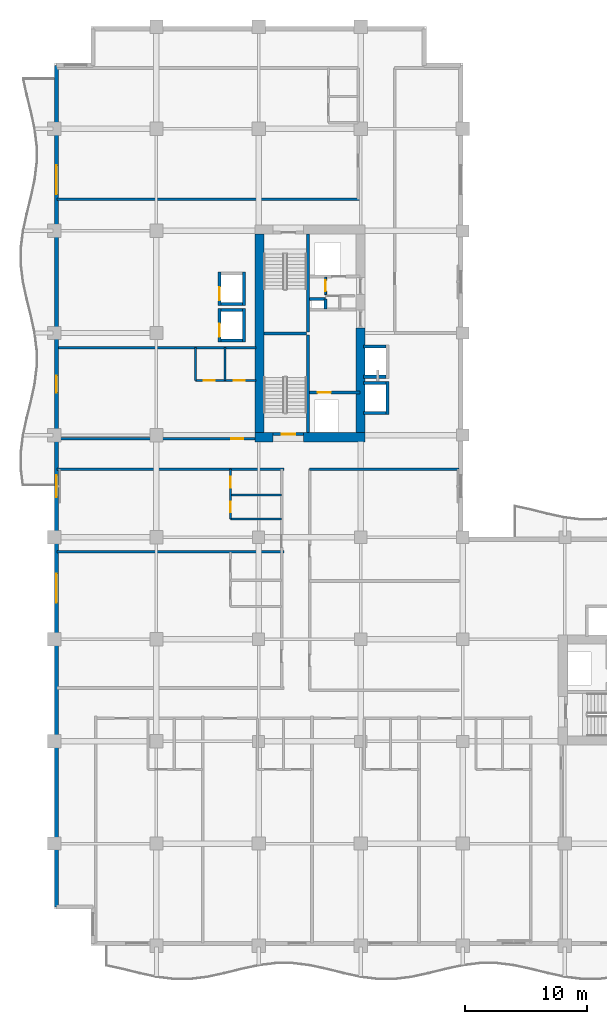
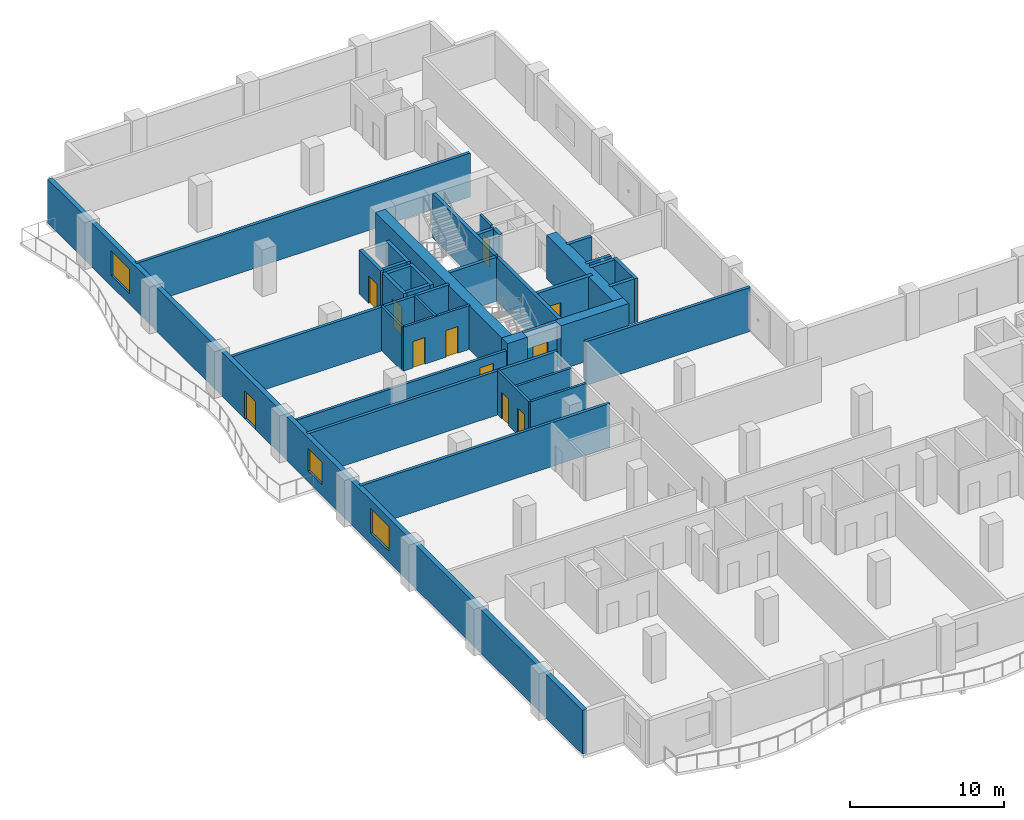
# One storey, part 7 of 16: 37 walls, 11 doors, 3 windows, 14 openings.
"""IFC4 building model written with IfcOpenShell, lengths in metres."""

from ifc_helpers import new_model, si_unit, direction, frame, frame_2d, origin, place, context, subcontext, project, spatial, rectangle, extrude, material, layer, layer_set, type_object, element, fill, save


model = new_model("IFC4")

# Units and contexts
model_context = context("Model", 3, precision=1e-05, world=origin(), true_north=direction((0.0, 1.0)))
body_context = subcontext(model_context, "Body", "Model", "MODEL_VIEW")
ifc_project = project(units=[si_unit("LENGTHUNIT", "METRE"), si_unit("AREAUNIT", "SQUARE_METRE"), si_unit("VOLUMEUNIT", "CUBIC_METRE"), si_unit("PLANEANGLEUNIT", "RADIAN"), si_unit("MASSUNIT", "GRAM", prefix="KILO")], contexts=[model_context])

# Site, building, storey
site_placement = place(None, origin())
site = spatial("IfcSite", under=ifc_project, at=site_placement, CompositionType="ELEMENT")
building_placement = place(site_placement, origin())
building = spatial("IfcBuilding", under=site, at=building_placement, Name="Koriwani Terraces Tower", CompositionType="ELEMENT")
storey_placement = place(building_placement, frame((0.0, 0.0, 171.699951171875)))
storey = spatial("IfcBuildingStorey", under=building, at=storey_placement, Name="L41", CompositionType="ELEMENT", Elevation=171.699951171875)

# Walls
ifc_material_1 = material(Name="Concrete C60/75", Category="concrete")
ifc_layer_1 = layer(ifc_material_1, 0.75, Name="Concrete C60/75")
ifc_layer_set_1 = layer_set([ifc_layer_1], Name="Concrete C60/75")
wall_type_1 = type_object("IfcWallType", Name="WALL_CORE_RC_750", PredefinedType="SHEAR", material=ifc_layer_set_1)
wall_1_placement = place(storey_placement, frame((16.5, 41.824951171875, 0.0), z_axis=(0.0, 0.0, 1.0), x_axis=(1.0, 0.0, 0.0)))
element("IfcWall", 1, at=wall_1_placement, inside=storey, type_object=wall_type_1, Name="L41 West Split Core Shear Wall S1", PredefinedType="SHEAR", context=body_context, shape_type="SweptSolid", body=[
    extrude(rectangle(XDim=1.5, YDim=0.75, at=frame_2d((0.75, 0.0))), origin(), (0.0, 0.0, 1.0), 3.469970703125),
])
wall_2_placement = place(storey_placement, frame((20.5, 41.824951171875, 0.0), z_axis=(0.0, 0.0, 1.0), x_axis=(1.0, 0.0, 0.0)))
element("IfcWall", 2, at=wall_2_placement, inside=storey, type_object=wall_type_1, Name="L41 West Split Core Shear Wall S2", PredefinedType="SHEAR", context=body_context, shape_type="SweptSolid", body=[
    extrude(rectangle(XDim=5.074951171875, YDim=0.75, at=frame_2d((2.53759765625, 0.0))), origin(), (0.0, 0.0, 1.0), 3.469970703125),
])
wall_3_placement = place(storey_placement, frame((16.875, 42.199951171875, 0.0), z_axis=(0.0, 0.0, 1.0), x_axis=(0.0, 1.0, 0.0)))
element("IfcWall", 3, at=wall_3_placement, inside=storey, type_object=wall_type_1, Name="L41 West Split Core Shear Wall W1", PredefinedType="SHEAR", context=body_context, shape_type="SweptSolid", body=[
    extrude(rectangle(XDim=16.35009765625, YDim=0.75, at=frame_2d((8.175048828125, 0.0))), origin(), (0.0, 0.0, 1.0), 3.469970703125),
])
wall_4_placement = place(storey_placement, frame((25.199951171875, 42.199951171875, 0.0), z_axis=(0.0, 0.0, 1.0), x_axis=(0.0, 1.0, 0.0)))
element("IfcWall", 4, at=wall_4_placement, inside=storey, type_object=wall_type_1, Name="L41 West Split Core Shear Wall E1", PredefinedType="SHEAR", context=body_context, shape_type="SweptSolid", body=[
    extrude(rectangle(XDim=8.60009765625, YDim=0.75, at=frame_2d((4.300048828125, 0.0))), origin(), (0.0, 0.0, 1.0), 3.469970703125),
])

# Wall, opening, door
ifc_material_2 = material(Name="Autoclaved Cellular Concrete Blockwork", Category="masonry")
ifc_layer_2 = layer(ifc_material_2, 0.199951171875, Name="Autoclaved Cellular Concrete Blockwork")
ifc_layer_set_2 = layer_set([ifc_layer_2], Name="Autoclaved Cellular Concrete Blockwork")
wall_type_2 = type_object("IfcWallType", Name="WALL_CORRIDOR_200", PredefinedType="PARTITIONING", material=ifc_layer_set_2)
wall_5_placement = place(storey_placement, frame((0.35009765625, 41.699951171875, 0.0), z_axis=(0.0, 0.0, 1.0), x_axis=(1.0, 0.0, 0.0)))
wall_5 = element("IfcWall", 5, at=wall_5_placement, inside=storey, type_object=wall_type_2, Name="L41 Interior Wall WREC-WS-L41", PredefinedType="PARTITIONING", context=body_context, shape_type="SweptSolid", body=[
    extrude(rectangle(XDim=16.25, YDim=0.199951171875, at=frame_2d((8.125, 0.0))), origin(), (0.0, 0.0, 1.0), 2.820068359375),
])
opening_1_placement = place(wall_5_placement, frame((14.199951171875, 0.0, 0.0)))
opening_1 = element("IfcOpeningElement", 6, at=opening_1_placement, cuts=wall_5, Name="Opening D-05", PredefinedType="OPENING", context=body_context, shape_type="SweptSolid", body=[
    extrude(rectangle(XDim=1.0, YDim=2.14990234375, at=frame_2d((0.5, 1.074951171875))), frame((0.0, 0.10986328125, 0.0), z_axis=(0.0, -1.0, 0.0), x_axis=(1.0, 0.0, 0.0)), (0.0, 0.0, 1.0), 0.219970703125),
])
ifc_material_3 = material(Name="Architectural Oak Fire Door", Category="wood")
door_type_1 = type_object("IfcDoorType", Name="DOOR_SUITE_ENTRY_1000X2150", OperationType="NOTDEFINED", PredefinedType="DOOR", material=ifc_material_3)
door_1_placement = place(opening_1_placement, origin())
door_1 = element("IfcDoor", 7, at=door_1_placement, inside=storey, type_object=door_type_1, Name="L41 Reclaimed West Suite Door", OperationType="SINGLE_SWING_LEFT", OverallHeight=2.14990234375, OverallWidth=1.0, PredefinedType="DOOR", context=body_context, shape_type="SweptSolid", body=[
    extrude(rectangle(XDim=1.0, YDim=2.14990234375, at=frame_2d((0.5, 1.074951171875))), frame((0.0, 0.02490234375, 0.0), z_axis=(0.0, -1.0, 0.0), x_axis=(1.0, 0.0, 0.0)), (0.0, 0.0, 1.0), 0.050048828125),
])
fill(opening_1, door_1)

# Walls
ifc_layer_3 = layer(ifc_material_2, 0.219970703125, Name="Autoclaved Cellular Concrete Blockwork")
ifc_layer_set_3 = layer_set([ifc_layer_3], Name="Autoclaved Cellular Concrete Blockwork")
wall_type_3 = type_object("IfcWallType", Name="WALL_DEMISING_220", PredefinedType="PARTITIONING", material=ifc_layer_set_3)
wall_6_placement = place(storey_placement, frame((0.35009765625, 49.199951171875, 0.0), z_axis=(0.0, 0.0, 1.0), x_axis=(1.0, 0.0, 0.0)))
element("IfcWall", 8, at=wall_6_placement, inside=storey, type_object=wall_type_3, Name="L41 Interior Wall WREC-WN-L41", PredefinedType="PARTITIONING", context=body_context, shape_type="SweptSolid", body=[
    extrude(rectangle(XDim=16.25, YDim=0.219970703125, at=frame_2d((8.125, 0.0))), origin(), (0.0, 0.0, 1.0), 3.469970703125),
])
wall_7_placement = place(storey_placement, frame((21.0, 39.199951171875, 0.0), z_axis=(0.0, 0.0, 1.0), x_axis=(1.0, 0.0, 0.0)))
element("IfcWall", 9, at=wall_7_placement, inside=storey, type_object=wall_type_3, Name="L41 Interior Wall WIC2-N-L41", PredefinedType="PARTITIONING", context=body_context, shape_type="SweptSolid", body=[
    extrude(rectangle(XDim=12.300048828125, YDim=0.219970703125, at=frame_2d((6.14990234375, 0.0))), origin(), (0.0, 0.0, 1.0), 3.469970703125),
])
for number, where, z_axis, x_axis, name in (
    (10, (0.199951171875, 32.39990234375, 0.0), (0.0, 0.0, 1.0), (1.0, 0.0, 0.0), "L41 Interior Wall WRDEM-L41-NW-1"),
    (11, (0.199951171875, 39.199951171875, 0.0), (0.0, 0.0, 1.0), (1.0, 0.0, 0.0), "L41 Interior Wall WRDEME-L41-NW"),
):
    element("IfcWall", number, at=place(storey_placement, frame(where, z_axis=z_axis, x_axis=x_axis)), inside=storey, type_object=wall_type_3, Name=name, PredefinedType="PARTITIONING", context=body_context, shape_type="SweptSolid", body=[
        extrude(rectangle(XDim=18.679931640625, YDim=0.219970703125, at=frame_2d((9.33984375, 0.0))), origin(), (0.0, 0.0, 1.0), 3.469970703125),
    ])
wall_8_placement = place(storey_placement, frame((0.199951171875, 61.39990234375, 0.0), z_axis=(0.0, 0.0, 1.0), x_axis=(1.0, 0.0, 0.0)))
element("IfcWall", 12, at=wall_8_placement, inside=storey, type_object=wall_type_3, Name="L41 Interior Wall WRDEM-L41-NE-0", PredefinedType="PARTITIONING", context=body_context, shape_type="SweptSolid", body=[
    extrude(rectangle(XDim=24.97998046875, YDim=0.219970703125, at=frame_2d((12.489990234375, 0.0))), origin(), (0.0, 0.0, 1.0), 3.469970703125),
])

# Wall, openings, door, windows
ifc_material_4 = material(Name="Concrete C50/60", Category="concrete")
ifc_layer_4 = layer(ifc_material_4, 0.35009765625, Name="Concrete C50/60")
ifc_layer_set_4 = layer_set([ifc_layer_4], Name="Concrete C50/60")
wall_type_4 = type_object("IfcWallType", Name="WALL_EXT_BRUTALIST_350", PredefinedType="STANDARD", material=ifc_layer_set_4)
wall_9_placement = place(storey_placement, frame((0.175048828125, 3.175048828125, 0.0), z_axis=(0.0, 0.0, 1.0), x_axis=(0.0, 1.0, 0.0)))
wall_9 = element("IfcWall", 13, at=wall_9_placement, inside=storey, type_object=wall_type_4, Name="L41 Fair-Faced Brutalist Exterior Wall (W)", PredefinedType="STANDARD", context=body_context, shape_type="SweptSolid", body=[
    extrude(rectangle(XDim=69.25, YDim=0.35009765625, at=frame_2d((34.625, 0.0))), origin(), (0.0, 0.0, 1.0), 3.469970703125),
])
opening_2_placement = place(wall_9_placement, frame((42.324951171875, 0.0, 0.0)))
opening_2 = element("IfcOpeningElement", 14, at=opening_2_placement, cuts=wall_9, Name="Opening D-09", PredefinedType="OPENING", context=body_context, shape_type="SweptSolid", body=[
    extrude(rectangle(XDim=1.39990234375, YDim=2.199951171875, at=frame_2d((0.699951171875, 1.10009765625))), frame((0.0, 0.18505859375, 0.0), z_axis=(0.0, -1.0, 0.0), x_axis=(1.0, 0.0, 0.0)), (0.0, 0.0, 1.0), 0.3701171875),
])
opening_3_placement = place(wall_9_placement, frame((25.02490234375, 0.0, 0.85009765625)))
opening_3 = element("IfcOpeningElement", 15, at=opening_3_placement, cuts=wall_9, Name="Opening W-03", PredefinedType="OPENING", context=body_context, shape_type="SweptSolid", body=[
    extrude(rectangle(XDim=2.39990234375, YDim=1.949951171875, at=frame_2d((1.199951171875, 0.97509765625))), frame((0.0, 0.18505859375, 0.0), z_axis=(0.0, -1.0, 0.0), x_axis=(1.0, 0.0, 0.0)), (0.0, 0.0, 1.0), 0.3701171875),
])
opening_4_placement = place(wall_9_placement, frame((33.72509765625, 0.0, 0.85009765625)))
opening_4 = element("IfcOpeningElement", 16, at=opening_4_placement, cuts=wall_9, Name="Opening W-04", PredefinedType="OPENING", context=body_context, shape_type="SweptSolid", body=[
    extrude(rectangle(XDim=1.800048828125, YDim=1.800048828125, at=frame_2d((0.89990234375, 0.89990234375))), frame((0.0, 0.18505859375, 0.0), z_axis=(0.0, -1.0, 0.0), x_axis=(1.0, 0.0, 0.0)), (0.0, 0.0, 1.0), 0.3701171875),
])
opening_5_placement = place(wall_9_placement, frame((58.625, 0.0, 0.85009765625)))
opening_5 = element("IfcOpeningElement", 17, at=opening_5_placement, cuts=wall_9, Name="Opening W-03", PredefinedType="OPENING", context=body_context, shape_type="SweptSolid", body=[
    extrude(rectangle(XDim=2.39990234375, YDim=1.949951171875, at=frame_2d((1.199951171875, 0.97509765625))), frame((0.0, 0.18505859375, 0.0), z_axis=(0.0, -1.0, 0.0), x_axis=(1.0, 0.0, 0.0)), (0.0, 0.0, 1.0), 0.3701171875),
])
ifc_material_5 = material(Name="Anodised Bronze Aluminium", Category="aluminium")
door_type_2 = type_object("IfcDoorType", Name="DOOR_BALCONY_GLAZED_1400X2200", OperationType="NOTDEFINED", PredefinedType="DOOR", material=ifc_material_5)
door_2_placement = place(opening_2_placement, origin())
door_2 = element("IfcDoor", 18, at=door_2_placement, inside=storey, type_object=door_type_2, Name="L41 West Balcony Glazed Door", OperationType="SINGLE_SWING_LEFT", OverallHeight=2.199951171875, OverallWidth=1.39990234375, PredefinedType="DOOR", context=body_context, shape_type="SweptSolid", body=[
    extrude(rectangle(XDim=1.39990234375, YDim=2.199951171875, at=frame_2d((0.699951171875, 1.10009765625))), frame((0.0, 0.02490234375, 0.0), z_axis=(0.0, -1.0, 0.0), x_axis=(1.0, 0.0, 0.0)), (0.0, 0.0, 1.0), 0.050048828125),
])
fill(opening_2, door_2)
ifc_material_6 = material(Name="Tempered Laminated Low-E Glass", Category="glass")
window_type_1 = type_object("IfcWindowType", Name="WIN_RES_BED_1800X1800", PartitioningType="DOUBLE_PANEL_VERTICAL", PredefinedType="WINDOW", material=ifc_material_6)
window_1_placement = place(opening_4_placement, origin())
window_1 = element("IfcWindow", 19, at=window_1_placement, inside=storey, type_object=window_type_1, Name="L41 Exterior Window (W-12)", OverallHeight=1.800048828125, OverallWidth=1.800048828125, PartitioningType="SINGLE_PANEL", PredefinedType="WINDOW", context=body_context, shape_type="SweptSolid", body=[
    extrude(rectangle(XDim=1.800048828125, YDim=1.800048828125, at=frame_2d((0.89990234375, 0.89990234375))), frame((0.0, 0.030029296875, 0.0), z_axis=(0.0, -1.0, 0.0), x_axis=(1.0, 0.0, 0.0)), (0.0, 0.0, 1.0), 0.06005859375),
])
fill(opening_4, window_1)
window_type_2 = type_object("IfcWindowType", Name="WIN_RES_LIVING_2400X1950", PartitioningType="DOUBLE_PANEL_VERTICAL", PredefinedType="WINDOW", material=ifc_material_6)
window_2_placement = place(opening_3_placement, origin())
window_2 = element("IfcWindow", 20, at=window_2_placement, inside=storey, type_object=window_type_2, Name="L41 Exterior Window (W-9)", OverallHeight=1.949951171875, OverallWidth=2.39990234375, PartitioningType="SINGLE_PANEL", PredefinedType="WINDOW", context=body_context, shape_type="SweptSolid", body=[
    extrude(rectangle(XDim=2.39990234375, YDim=1.949951171875, at=frame_2d((1.199951171875, 0.97509765625))), frame((0.0, 0.030029296875, 0.0), z_axis=(0.0, -1.0, 0.0), x_axis=(1.0, 0.0, 0.0)), (0.0, 0.0, 1.0), 0.06005859375),
])
fill(opening_3, window_2)
window_3_placement = place(opening_5_placement, origin())
window_3 = element("IfcWindow", 21, at=window_3_placement, inside=storey, type_object=window_type_2, Name="L41 Exterior Window (W-21)", OverallHeight=1.949951171875, OverallWidth=2.39990234375, PartitioningType="SINGLE_PANEL", PredefinedType="WINDOW", context=body_context, shape_type="SweptSolid", body=[
    extrude(rectangle(XDim=2.39990234375, YDim=1.949951171875, at=frame_2d((1.199951171875, 0.97509765625))), frame((0.0, 0.030029296875, 0.0), z_axis=(0.0, -1.0, 0.0), x_axis=(1.0, 0.0, 0.0)), (0.0, 0.0, 1.0), 0.06005859375),
])
fill(opening_5, window_3)

# Wall, openings, doors
ifc_material_7 = material(Name="Fire-Rated Acoustic Gypsum Partition", Category="masonry")
ifc_layer_5 = layer(ifc_material_7, 0.179931640625, Name="Fire-Rated Acoustic Gypsum Partition")
ifc_layer_set_5 = layer_set([ifc_layer_5], Name="Fire-Rated Acoustic Gypsum Partition")
wall_type_5 = type_object("IfcWallType", Name="WALL_PLUMBING_180", PredefinedType="PLUMBINGWALL", material=ifc_layer_set_5)
wall_10_placement = place(storey_placement, frame((11.60009765625, 46.5, 0.0), z_axis=(0.0, 0.0, 1.0), x_axis=(1.0, 0.0, 0.0)))
wall_10 = element("IfcWall", 22, at=wall_10_placement, inside=storey, type_object=wall_type_5, Name="L41 Interior Wall WREC-WBB-L41", PredefinedType="PLUMBINGWALL", context=body_context, shape_type="SweptSolid", body=[
    extrude(rectangle(XDim=5.0, YDim=0.179931640625, at=frame_2d((2.5, 0.0))), origin(), (0.0, 0.0, 1.0), 3.469970703125),
])
opening_6_placement = place(wall_10_placement, frame((0.699951171875, 0.0, 0.0)))
opening_6 = element("IfcOpeningElement", 23, at=opening_6_placement, cuts=wall_10, Name="Opening D-07", PredefinedType="OPENING", context=body_context, shape_type="SweptSolid", body=[
    extrude(rectangle(XDim=0.89990234375, YDim=2.10009765625, at=frame_2d((0.449951171875, 1.050048828125))), frame((0.0, 0.10009765625, 0.0), z_axis=(0.0, -1.0, 0.0), x_axis=(1.0, 0.0, 0.0)), (0.0, 0.0, 1.0), 0.199951171875),
])
opening_7_placement = place(wall_10_placement, frame((3.14990234375, 0.0, 0.0)))
opening_7 = element("IfcOpeningElement", 24, at=opening_7_placement, cuts=wall_10, Name="Opening D-06", PredefinedType="OPENING", context=body_context, shape_type="SweptSolid", body=[
    extrude(rectangle(XDim=0.919921875, YDim=2.10009765625, at=frame_2d((0.4599609375, 1.050048828125))), frame((0.0, 0.10009765625, 0.0), z_axis=(0.0, -1.0, 0.0), x_axis=(1.0, 0.0, 0.0)), (0.0, 0.0, 1.0), 0.199951171875),
])
door_type_3 = type_object("IfcDoorType", Name="DOOR_BATH_INT_900X2100", OperationType="NOTDEFINED", PredefinedType="DOOR", material=ifc_material_3)
door_3_placement = place(opening_6_placement, origin())
door_3 = element("IfcDoor", 25, at=door_3_placement, inside=storey, type_object=door_type_3, Name="Apartment 41RW Bathroom Door", OperationType="SINGLE_SWING_RIGHT", OverallHeight=2.10009765625, OverallWidth=0.89990234375, PredefinedType="DOOR", context=body_context, shape_type="SweptSolid", body=[
    extrude(rectangle(XDim=0.89990234375, YDim=2.10009765625, at=frame_2d((0.449951171875, 1.050048828125))), frame((0.0, 0.02490234375, 0.0), z_axis=(0.0, -1.0, 0.0), x_axis=(1.0, 0.0, 0.0)), (0.0, 0.0, 1.0), 0.050048828125),
])
fill(opening_6, door_3)
door_type_4 = type_object("IfcDoorType", Name="DOOR_ROOM_INT_920X2100", OperationType="NOTDEFINED", PredefinedType="DOOR", material=ifc_material_3)
door_4_placement = place(opening_7_placement, origin())
door_4 = element("IfcDoor", 26, at=door_4_placement, inside=storey, type_object=door_type_4, Name="Apartment 41RW Kitchen Door", OperationType="SINGLE_SWING_LEFT", OverallHeight=2.10009765625, OverallWidth=0.919921875, PredefinedType="DOOR", context=body_context, shape_type="SweptSolid", body=[
    extrude(rectangle(XDim=0.919921875, YDim=2.10009765625, at=frame_2d((0.4599609375, 1.050048828125))), frame((0.0, 0.02490234375, 0.0), z_axis=(0.0, -1.0, 0.0), x_axis=(1.0, 0.0, 0.0)), (0.0, 0.0, 1.0), 0.050048828125),
])
fill(opening_7, door_4)

# Walls
for number, where, z_axis, x_axis, name in (
    (27, (11.60009765625, 46.5, 0.0), (0.0, 0.0, 1.0), (0.0, 1.0, 0.0), "L41 Interior Wall WREC-WB2-L41"),
    (28, (14.050048828125, 46.5, 0.0), (0.0, 0.0, 1.0), (0.0, 1.0, 0.0), "L41 Interior Wall WREC-WB3-L41"),
):
    element("IfcWall", number, at=place(storey_placement, frame(where, z_axis=z_axis, x_axis=x_axis)), inside=storey, type_object=wall_type_5, Name=name, PredefinedType="PLUMBINGWALL", context=body_context, shape_type="SweptSolid", body=[
        extrude(rectangle(XDim=2.699951171875, YDim=0.179931640625, at=frame_2d((1.35009765625, 0.0))), origin(), (0.0, 0.0, 1.0), 3.469970703125),
    ])

# Wall, openings, doors
wall_11_placement = place(storey_placement, frame((14.5, 35.10009765625, 0.0), z_axis=(0.0, 0.0, 1.0), x_axis=(0.0, 1.0, 0.0)))
wall_11 = element("IfcWall", 29, at=wall_11_placement, inside=storey, type_object=wall_type_5, Name="L41 Interior Wall WRSVC-L41-NW-1", PredefinedType="PLUMBINGWALL", context=body_context, shape_type="SweptSolid", body=[
    extrude(rectangle(XDim=4.099853515625, YDim=0.179931640625, at=frame_2d((2.0498046875, 0.0))), origin(), (0.0, 0.0, 1.0), 3.469970703125),
])
opening_8_placement = place(wall_11_placement, frame((0.533935546875, 0.0, 0.0)))
opening_8 = element("IfcOpeningElement", 30, at=opening_8_placement, cuts=wall_11, Name="Opening D-07", PredefinedType="OPENING", context=body_context, shape_type="SweptSolid", body=[
    extrude(rectangle(XDim=0.89990234375, YDim=2.10009765625, at=frame_2d((0.449951171875, 1.050048828125))), frame((0.0, 0.10009765625, 0.0), z_axis=(0.0, -1.0, 0.0), x_axis=(1.0, 0.0, 0.0)), (0.0, 0.0, 1.0), 0.199951171875),
])
opening_9_placement = place(wall_11_placement, frame((2.573974609375, 0.0, 0.0)))
opening_9 = element("IfcOpeningElement", 31, at=opening_9_placement, cuts=wall_11, Name="Opening D-06", PredefinedType="OPENING", context=body_context, shape_type="SweptSolid", body=[
    extrude(rectangle(XDim=0.919921875, YDim=2.10009765625, at=frame_2d((0.4599609375, 1.050048828125))), frame((0.0, 0.10009765625, 0.0), z_axis=(0.0, -1.0, 0.0), x_axis=(1.0, 0.0, 0.0)), (0.0, 0.0, 1.0), 0.199951171875),
])
door_5_placement = place(opening_8_placement, origin())
door_5 = element("IfcDoor", 32, at=door_5_placement, inside=storey, type_object=door_type_3, Name="Apartment 41NW2 Bathroom Door", OperationType="SINGLE_SWING_LEFT", OverallHeight=2.10009765625, OverallWidth=0.89990234375, PredefinedType="DOOR", context=body_context, shape_type="SweptSolid", body=[
    extrude(rectangle(XDim=0.89990234375, YDim=2.10009765625, at=frame_2d((0.449951171875, 1.050048828125))), frame((0.0, 0.02490234375, 0.0), z_axis=(0.0, -1.0, 0.0), x_axis=(1.0, 0.0, 0.0)), (0.0, 0.0, 1.0), 0.050048828125),
])
fill(opening_8, door_5)
door_6_placement = place(opening_9_placement, origin())
door_6 = element("IfcDoor", 33, at=door_6_placement, inside=storey, type_object=door_type_4, Name="Apartment 41NW2 Kitchen Door", OperationType="SINGLE_SWING_RIGHT", OverallHeight=2.10009765625, OverallWidth=0.919921875, PredefinedType="DOOR", context=body_context, shape_type="SweptSolid", body=[
    extrude(rectangle(XDim=0.919921875, YDim=2.10009765625, at=frame_2d((0.4599609375, 1.050048828125))), frame((0.0, 0.02490234375, 0.0), z_axis=(0.0, -1.0, 0.0), x_axis=(1.0, 0.0, 0.0)), (0.0, 0.0, 1.0), 0.050048828125),
])
fill(opening_9, door_6)

# Walls
for number, where, z_axis, x_axis, name in (
    (34, (14.5, 35.10009765625, 0.0), (0.0, 0.0, 1.0), (1.0, 0.0, 0.0), "L41 Interior Wall WRSVCS-L41-NW-1"),
    (35, (14.5, 37.068115234375, 0.0), (0.0, 0.0, 1.0), (1.0, 0.0, 0.0), "L41 Interior Wall WRSVCM-L41-NW-1"),
):
    element("IfcWall", number, at=place(storey_placement, frame(where, z_axis=z_axis, x_axis=x_axis)), inside=storey, type_object=wall_type_5, Name=name, PredefinedType="PLUMBINGWALL", context=body_context, shape_type="SweptSolid", body=[
        extrude(rectangle(XDim=4.199951171875, YDim=0.179931640625, at=frame_2d((2.10009765625, 0.0))), origin(), (0.0, 0.0, 1.0), 3.469970703125),
    ])
ifc_material_8 = material(Name="Concrete C40/50", Category="concrete")
ifc_layer_6 = layer(ifc_material_8, 0.25, Name="Concrete C40/50")
ifc_layer_set_6 = layer_set([ifc_layer_6], Name="Concrete C40/50")
wall_type_6 = type_object("IfcWallType", Name="WALL_SHAFT_RATED_250", PredefinedType="SOLIDWALL", material=ifc_layer_set_6)
for number, where, z_axis, x_axis, name in (
    (36, (20.875, 42.199951171875, 0.0), (0.0, 0.0, 1.0), (0.0, 1.0, 0.0), "L41 West Split Core Web Wall MID1"),
    (37, (20.875, 50.5, 0.0), (0.0, 0.0, 1.0), (0.0, 1.0, 0.0), "L41 West Split Core Web Wall MID2"),
):
    element("IfcWall", number, at=place(storey_placement, frame(where, z_axis=z_axis, x_axis=x_axis)), inside=storey, type_object=wall_type_6, Name=name, PredefinedType="SOLIDWALL", context=body_context, shape_type="SweptSolid", body=[
        extrude(rectangle(XDim=8.050048828125, YDim=0.25, at=frame_2d((4.02490234375, 0.0))), origin(), (0.0, 0.0, 1.0), 3.469970703125),
    ])
wall_12_placement = place(storey_placement, frame((17.25, 50.375, 0.0), z_axis=(0.0, 0.0, 1.0), x_axis=(1.0, 0.0, 0.0)))
element("IfcWall", 38, at=wall_12_placement, inside=storey, type_object=wall_type_6, Name="L41 West Split Core Stair Dividing Wall", PredefinedType="SOLIDWALL", context=body_context, shape_type="SweptSolid", body=[
    extrude(rectangle(XDim=3.5, YDim=0.25, at=frame_2d((1.75, 0.0))), origin(), (0.0, 0.0, 1.0), 3.469970703125),
])

# Wall, opening, door
wall_13_placement = place(storey_placement, frame((18.0, 42.074951171875, 0.0), z_axis=(0.0, 0.0, 1.0), x_axis=(1.0, 0.0, 0.0)))
wall_13 = element("IfcWall", 39, at=wall_13_placement, inside=storey, type_object=wall_type_6, Name="L41 Interior Wall WIN-CW-L41-STS", PredefinedType="SOLIDWALL", context=body_context, shape_type="SweptSolid", body=[
    extrude(rectangle(XDim=2.5, YDim=0.25, at=frame_2d((1.25, 0.0))), origin(), (0.0, 0.0, 1.0), 3.469970703125),
])
opening_10_placement = place(wall_13_placement, frame((0.699951171875, 0.0, 0.0)))
opening_10 = element("IfcOpeningElement", 40, at=opening_10_placement, cuts=wall_13, Name="Opening D-03", PredefinedType="OPENING", context=body_context, shape_type="SweptSolid", body=[
    extrude(rectangle(XDim=1.10009765625, YDim=2.14990234375, at=frame_2d((0.550048828125, 1.074951171875))), frame((0.0, 0.135009765625, 0.0), z_axis=(0.0, -1.0, 0.0), x_axis=(1.0, 0.0, 0.0)), (0.0, 0.0, 1.0), 0.27001953125),
])
ifc_material_9 = material(Name="Steel ASTM A572 Grade 50", Category="steel")
door_type_5 = type_object("IfcDoorType", Name="DOOR_STAIR_FIRE_1100X2150", OperationType="NOTDEFINED", PredefinedType="DOOR", material=ifc_material_9)
door_7_placement = place(opening_10_placement, origin())
door_7 = element("IfcDoor", 41, at=door_7_placement, inside=storey, type_object=door_type_5, Name="L41 Exit Stair ST-W1 Door", OperationType="SINGLE_SWING_LEFT", OverallHeight=2.14990234375, OverallWidth=1.10009765625, PredefinedType="DOOR", context=body_context, shape_type="SweptSolid", body=[
    extrude(rectangle(XDim=1.10009765625, YDim=2.14990234375, at=frame_2d((0.550048828125, 1.074951171875))), frame((0.0, 0.02490234375, 0.0), z_axis=(0.0, -1.0, 0.0), x_axis=(1.0, 0.0, 0.0)), (0.0, 0.0, 1.0), 0.050048828125),
])
fill(opening_10, door_7)

wall_14_placement = place(storey_placement, frame((21.0, 45.5, 0.0), z_axis=(0.0, 0.0, 1.0), x_axis=(1.0, 0.0, 0.0)))
wall_14 = element("IfcWall", 42, at=wall_14_placement, inside=storey, type_object=wall_type_6, Name="L41 Interior Wall WIN-CW-L41-FE", PredefinedType="SOLIDWALL", context=body_context, shape_type="SweptSolid", body=[
    extrude(rectangle(XDim=4.14990234375, YDim=0.25, at=frame_2d((2.074951171875, 0.0))), origin(), (0.0, 0.0, 1.0), 3.469970703125),
])
opening_11_placement = place(wall_14_placement, frame((0.64990234375, 0.0, 0.0)))
opening_11 = element("IfcOpeningElement", 43, at=opening_11_placement, cuts=wall_14, Name="Opening LD-01", PredefinedType="OPENING", context=body_context, shape_type="SweptSolid", body=[
    extrude(rectangle(XDim=1.10009765625, YDim=2.14990234375, at=frame_2d((0.550048828125, 1.074951171875))), frame((0.0, 0.135009765625, 0.0), z_axis=(0.0, -1.0, 0.0), x_axis=(1.0, 0.0, 0.0)), (0.0, 0.0, 1.0), 0.27001953125),
])
door_type_6 = type_object("IfcDoorType", Name="DOOR_LIFT_LANDING_1100X2200", OperationType="NOTDEFINED", PredefinedType="DOOR", material=ifc_material_9)
door_8_placement = place(opening_11_placement, origin())
door_8 = element("IfcDoor", 44, at=door_8_placement, inside=storey, type_object=door_type_6, Name="L41 Firefighting Lift FE-01 Landing Door", OperationType="SLIDING_TO_LEFT", OverallHeight=2.14990234375, OverallWidth=1.10009765625, PredefinedType="DOOR", context=body_context, shape_type="SweptSolid", body=[
    extrude(rectangle(XDim=1.10009765625, YDim=2.14990234375, at=frame_2d((0.550048828125, 1.074951171875))), frame((0.0, 0.02490234375, 0.0), z_axis=(0.0, -1.0, 0.0), x_axis=(1.0, 0.0, 0.0)), (0.0, 0.0, 1.0), 0.050048828125),
])
fill(opening_11, door_8)

# Walls
wall_15_placement = place(storey_placement, frame((21.0, 53.199951171875, 0.0), z_axis=(0.0, 0.0, 1.0), x_axis=(1.0, 0.0, 0.0)))
element("IfcWall", 45, at=wall_15_placement, inside=storey, type_object=wall_type_6, Name="L41 Interior Wall WIN-CW-L41-RS1", PredefinedType="SOLIDWALL", context=body_context, shape_type="SweptSolid", body=[
    extrude(rectangle(XDim=1.300048828125, YDim=0.25, at=frame_2d((0.64990234375, 0.0))), origin(), (0.0, 0.0, 1.0), 3.469970703125),
])
wall_16_placement = place(storey_placement, frame((22.300048828125, 52.360107421875, 0.0), z_axis=(0.0, 0.0, 1.0), x_axis=(0.0, 1.0, 0.0)))
element("IfcWall", 46, at=wall_16_placement, inside=storey, type_object=wall_type_6, Name="L41 Interior Wall WIN-CW-L41-RS2", PredefinedType="SOLIDWALL", context=body_context, shape_type="SweptSolid", body=[
    extrude(rectangle(XDim=0.83984375, YDim=0.25, at=frame_2d((0.419921875, 0.0))), origin(), (0.0, 0.0, 1.0), 3.469970703125),
])

# Wall, opening, door
wall_17_placement = place(storey_placement, frame((13.60009765625, 49.675048828125, 0.0), z_axis=(0.0, 0.0, 1.0), x_axis=(0.0, 1.0, 0.0)))
wall_17 = element("IfcWall", 47, at=wall_17_placement, inside=storey, type_object=wall_type_6, Name="L41 Interior Wall WIN-LF-PE-M1-L41-F", PredefinedType="SOLIDWALL", context=body_context, shape_type="SweptSolid", body=[
    extrude(rectangle(XDim=2.75, YDim=0.25, at=frame_2d((1.375, 0.0))), origin(), (0.0, 0.0, 1.0), 3.469970703125),
])
opening_12_placement = place(wall_17_placement, frame((0.39990234375, 0.0, 0.0)))
opening_12 = element("IfcOpeningElement", 48, at=opening_12_placement, cuts=wall_17, Name="Opening LD-01", PredefinedType="OPENING", context=body_context, shape_type="SweptSolid", body=[
    extrude(rectangle(XDim=1.10009765625, YDim=2.14990234375, at=frame_2d((0.550048828125, 1.074951171875))), frame((0.0, 0.135009765625, 0.0), z_axis=(0.0, -1.0, 0.0), x_axis=(1.0, 0.0, 0.0)), (0.0, 0.0, 1.0), 0.27001953125),
])
door_9_placement = place(opening_12_placement, origin())
door_9 = element("IfcDoor", 49, at=door_9_placement, inside=storey, type_object=door_type_6, Name="L41 Passenger Lift PE-M1 Landing Door", OperationType="SLIDING_TO_LEFT", OverallHeight=2.14990234375, OverallWidth=1.10009765625, PredefinedType="DOOR", context=body_context, shape_type="SweptSolid", body=[
    extrude(rectangle(XDim=1.10009765625, YDim=2.14990234375, at=frame_2d((0.550048828125, 1.074951171875))), frame((0.0, 0.02490234375, 0.0), z_axis=(0.0, -1.0, 0.0), x_axis=(1.0, 0.0, 0.0)), (0.0, 0.0, 1.0), 0.050048828125),
])
fill(opening_12, door_9)

# Walls
wall_18_placement = place(storey_placement, frame((15.60009765625, 49.675048828125, 0.0), z_axis=(0.0, 0.0, 1.0), x_axis=(0.0, 1.0, 0.0)))
element("IfcWall", 50, at=wall_18_placement, inside=storey, type_object=wall_type_6, Name="L41 Interior Wall WIN-LF-PE-M1-L41-B", PredefinedType="SOLIDWALL", context=body_context, shape_type="SweptSolid", body=[
    extrude(rectangle(XDim=2.75, YDim=0.25, at=frame_2d((1.375, 0.0))), origin(), (0.0, 0.0, 1.0), 3.469970703125),
])
for number, where, z_axis, x_axis, name in (
    (51, (13.72509765625, 49.800048828125, 0.0), (0.0, 0.0, 1.0), (1.0, 0.0, 0.0), "L41 Interior Wall WIN-LF-PE-M1-L41-S"),
    (52, (13.72509765625, 52.300048828125, 0.0), (0.0, 0.0, 1.0), (1.0, 0.0, 0.0), "L41 Interior Wall WIN-LF-PE-M1-L41-N"),
):
    element("IfcWall", number, at=place(storey_placement, frame(where, z_axis=z_axis, x_axis=x_axis)), inside=storey, type_object=wall_type_6, Name=name, PredefinedType="SOLIDWALL", context=body_context, shape_type="SweptSolid", body=[
        extrude(rectangle(XDim=1.75, YDim=0.25, at=frame_2d((0.875, 0.0))), origin(), (0.0, 0.0, 1.0), 3.469970703125),
    ])

# Wall, opening, door
wall_19_placement = place(storey_placement, frame((13.60009765625, 52.675048828125, 0.0), z_axis=(0.0, 0.0, 1.0), x_axis=(0.0, 1.0, 0.0)))
wall_19 = element("IfcWall", 53, at=wall_19_placement, inside=storey, type_object=wall_type_6, Name="L41 Interior Wall WIN-LF-PE-M2-L41-F", PredefinedType="SOLIDWALL", context=body_context, shape_type="SweptSolid", body=[
    extrude(rectangle(XDim=2.75, YDim=0.25, at=frame_2d((1.375, 0.0))), origin(), (0.0, 0.0, 1.0), 3.469970703125),
])
opening_13_placement = place(wall_19_placement, frame((0.39990234375, 0.0, 0.0)))
opening_13 = element("IfcOpeningElement", 54, at=opening_13_placement, cuts=wall_19, Name="Opening LD-01", PredefinedType="OPENING", context=body_context, shape_type="SweptSolid", body=[
    extrude(rectangle(XDim=1.10009765625, YDim=2.14990234375, at=frame_2d((0.550048828125, 1.074951171875))), frame((0.0, 0.135009765625, 0.0), z_axis=(0.0, -1.0, 0.0), x_axis=(1.0, 0.0, 0.0)), (0.0, 0.0, 1.0), 0.27001953125),
])
door_10_placement = place(opening_13_placement, origin())
door_10 = element("IfcDoor", 55, at=door_10_placement, inside=storey, type_object=door_type_6, Name="L41 Passenger Lift PE-M2 Landing Door", OperationType="SLIDING_TO_LEFT", OverallHeight=2.14990234375, OverallWidth=1.10009765625, PredefinedType="DOOR", context=body_context, shape_type="SweptSolid", body=[
    extrude(rectangle(XDim=1.10009765625, YDim=2.14990234375, at=frame_2d((0.550048828125, 1.074951171875))), frame((0.0, 0.02490234375, 0.0), z_axis=(0.0, -1.0, 0.0), x_axis=(1.0, 0.0, 0.0)), (0.0, 0.0, 1.0), 0.050048828125),
])
fill(opening_13, door_10)

# Walls
wall_20_placement = place(storey_placement, frame((15.60009765625, 52.675048828125, 0.0), z_axis=(0.0, 0.0, 1.0), x_axis=(0.0, 1.0, 0.0)))
element("IfcWall", 56, at=wall_20_placement, inside=storey, type_object=wall_type_6, Name="L41 Interior Wall WIN-LF-PE-M2-L41-B", PredefinedType="SOLIDWALL", context=body_context, shape_type="SweptSolid", body=[
    extrude(rectangle(XDim=2.75, YDim=0.25, at=frame_2d((1.375, 0.0))), origin(), (0.0, 0.0, 1.0), 3.469970703125),
])
wall_21_placement = place(storey_placement, frame((13.72509765625, 52.800048828125, 0.0), z_axis=(0.0, 0.0, 1.0), x_axis=(1.0, 0.0, 0.0)))
element("IfcWall", 57, at=wall_21_placement, inside=storey, type_object=wall_type_6, Name="L41 Interior Wall WIN-LF-PE-M2-L41-S", PredefinedType="SOLIDWALL", context=body_context, shape_type="SweptSolid", body=[
    extrude(rectangle(XDim=1.75, YDim=0.25, at=frame_2d((0.875, 0.0))), origin(), (0.0, 0.0, 1.0), 3.469970703125),
])
wall_22_placement = place(storey_placement, frame((27.39990234375, 43.675048828125, 0.0), z_axis=(0.0, 0.0, 1.0), x_axis=(0.0, 1.0, 0.0)))
element("IfcWall", 58, at=wall_22_placement, inside=storey, type_object=wall_type_6, Name="L41 Interior Wall WIN-LF-PE-H1-L41-F", PredefinedType="SOLIDWALL", context=body_context, shape_type="SweptSolid", body=[
    extrude(rectangle(XDim=2.75, YDim=0.25, at=frame_2d((1.375, 0.0))), origin(), (0.0, 0.0, 1.0), 3.469970703125),
])
for number, where, z_axis, x_axis, name in (
    (59, (25.449951171875, 43.800048828125, 0.0), (0.0, 0.0, 1.0), (1.0, 0.0, 0.0), "L41 Interior Wall WIN-LF-PE-H1-L41-S"),
    (60, (25.449951171875, 46.300048828125, 0.0), (0.0, 0.0, 1.0), (1.0, 0.0, 0.0), "L41 Interior Wall WIN-LF-PE-H1-L41-N"),
    (61, (25.449951171875, 46.800048828125, 0.0), (0.0, 0.0, 1.0), (1.0, 0.0, 0.0), "L41 Interior Wall WIN-LF-PE-H2-L41-S"),
    (62, (25.449951171875, 49.300048828125, 0.0), (0.0, 0.0, 1.0), (1.0, 0.0, 0.0), "L41 Interior Wall WIN-LF-PE-H2-L41-N"),
):
    element("IfcWall", number, at=place(storey_placement, frame(where, z_axis=z_axis, x_axis=x_axis)), inside=storey, type_object=wall_type_6, Name=name, PredefinedType="SOLIDWALL", context=body_context, shape_type="SweptSolid", body=[
        extrude(rectangle(XDim=1.824951171875, YDim=0.25, at=frame_2d((0.91259765625, 0.0))), origin(), (0.0, 0.0, 1.0), 3.469970703125),
    ])

# Wall, opening, door
ifc_layer_7 = layer(ifc_material_7, 0.159912109375, Name="Fire-Rated Acoustic Gypsum Partition")
ifc_layer_set_7 = layer_set([ifc_layer_7], Name="Fire-Rated Acoustic Gypsum Partition")
wall_type_7 = type_object("IfcWallType", Name="WALL_SUITE_160", PredefinedType="PARTITIONING", material=ifc_layer_set_7)
wall_23_placement = place(storey_placement, frame((22.320068359375, 53.56005859375, 0.0), z_axis=(0.0, 0.0, 1.0), x_axis=(0.0, 1.0, 0.0)))
wall_23 = element("IfcWall", 63, at=wall_23_placement, inside=storey, type_object=wall_type_7, Name="L41 Interior Wall WIN-CW-L41-SV2A", PredefinedType="PARTITIONING", context=body_context, shape_type="SweptSolid", body=[
    extrude(rectangle(XDim=1.43994140625, YDim=0.159912109375, at=frame_2d((0.719970703125, 0.0))), origin(), (0.0, 0.0, 1.0), 3.469970703125),
])
opening_14_placement = place(wall_23_placement, frame((0.260009765625, 0.0, 0.0)))
opening_14 = element("IfcOpeningElement", 64, at=opening_14_placement, cuts=wall_23, Name="Opening D-07", PredefinedType="OPENING", context=body_context, shape_type="SweptSolid", body=[
    extrude(rectangle(XDim=0.89990234375, YDim=2.10009765625, at=frame_2d((0.449951171875, 1.050048828125))), frame((0.0, 0.08984375, 0.0), z_axis=(0.0, -1.0, 0.0), x_axis=(1.0, 0.0, 0.0)), (0.0, 0.0, 1.0), 0.179931640625),
])
door_11_placement = place(opening_14_placement, origin())
door_11 = element("IfcDoor", 65, at=door_11_placement, inside=storey, type_object=door_type_3, Name="L41 West Meter Room Door", OperationType="SINGLE_SWING_LEFT", OverallHeight=2.10009765625, OverallWidth=0.89990234375, PredefinedType="DOOR", context=body_context, shape_type="SweptSolid", body=[
    extrude(rectangle(XDim=0.89990234375, YDim=2.10009765625, at=frame_2d((0.449951171875, 1.050048828125))), frame((0.0, 0.02490234375, 0.0), z_axis=(0.0, -1.0, 0.0), x_axis=(1.0, 0.0, 0.0)), (0.0, 0.0, 1.0), 0.050048828125),
])
fill(opening_14, door_11)

save(model, "model.ifc")
